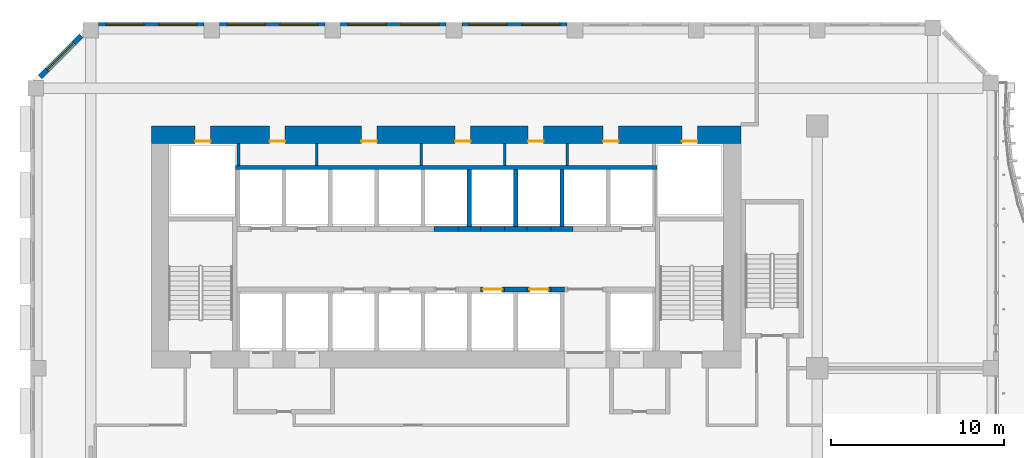
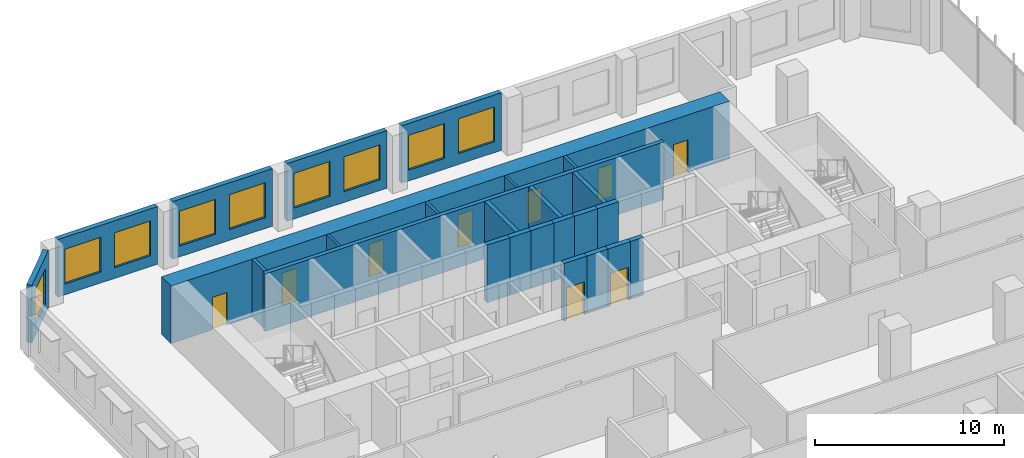
# One storey, part 14 of 27: 25 walls, 9 doors, 9 windows, 18 openings.
"""IFC4 building model written with IfcOpenShell, lengths in metres."""

from ifc_helpers import new_model, si_unit, direction, frame, frame_2d, origin, place, context, subcontext, project, spatial, rectangle, extrude, source, transform, mapped, material, layer, layer_set, type_object, element, fill, save


model = new_model("IFC4")

# Units and contexts
model_context = context("Model", 3, precision=1e-05, world=origin(), true_north=direction((0.0, 1.0)))
body_context = subcontext(model_context, "Body", "Model", "MODEL_VIEW")
ifc_project = project(units=[si_unit("LENGTHUNIT", "METRE"), si_unit("AREAUNIT", "SQUARE_METRE"), si_unit("VOLUMEUNIT", "CUBIC_METRE"), si_unit("PLANEANGLEUNIT", "RADIAN"), si_unit("MASSUNIT", "GRAM", prefix="KILO")], contexts=[model_context])

# Site, building, storey
site_placement = place(None, origin())
site = spatial("IfcSite", under=ifc_project, at=site_placement, CompositionType="ELEMENT")
building_placement = place(site_placement, origin())
building = spatial("IfcBuilding", under=site, at=building_placement, Name="Kilnfold Tower and Market Hall", CompositionType="ELEMENT")
storey_placement = place(building_placement, frame((0.0, 0.0, 71.199951171875)))
storey = spatial("IfcBuildingStorey", under=building, at=storey_placement, Name="L16", CompositionType="ELEMENT", Elevation=71.199951171875)

# Wall, openings, doors
ifc_material_1 = material(Name="Concrete C80", Category="concrete")
ifc_layer_1 = layer(ifc_material_1, 1.0)
ifc_layer_set_1 = layer_set([ifc_layer_1], Name="Concrete C80")
wall_type_1 = type_object("IfcWallType", Name="CORE WALL 1000 C80", PredefinedType="SHEAR", material=ifc_layer_set_1)
shared_shape_1 = source(origin(), body_context, "Body", "SweptSolid", [
    extrude(rectangle(XDim=34.10009765625, YDim=1.0, at=frame_2d((17.050048828125, 0.0))), origin(), (0.0, 0.0, 1.0), 3.719970703125),
])
wall_1_placement = place(storey_placement, frame((-16.0, 21.5, 0.0), z_axis=(0.0, 0.0, 1.0), x_axis=(1.0, 0.0, 0.0)))
wall_1 = element("IfcWall", 1, at=wall_1_placement, inside=storey, type_object=wall_type_1, Name="Core outer wall north", PredefinedType="SHEAR", context=body_context, shape_type="MappedRepresentation", body=[
    mapped(shared_shape_1, transform((0.0, 0.0, 0.0))),
])
opening_1_placement = place(wall_1_placement, frame((6.831298828125, 0.0, 0.0)))
opening_1 = element("IfcOpeningElement", 2, at=opening_1_placement, cuts=wall_1, Name="Opening KD1", PredefinedType="OPENING", context=body_context, shape_type="SweptSolid", body=[
    extrude(rectangle(XDim=0.89990234375, YDim=2.10009765625, at=frame_2d((0.449951171875, 1.050048828125))), frame((0.0, 0.510009765625, 0.0), z_axis=(0.0, -1.0, 0.0), x_axis=(1.0, 0.0, 0.0)), (0.0, 0.0, 1.0), 1.02001953125),
])
opening_2_placement = place(wall_1_placement, frame((12.1376953125, 0.0, 0.0)))
opening_2 = element("IfcOpeningElement", 3, at=opening_2_placement, cuts=wall_1, Name="Opening KD1", PredefinedType="OPENING", context=body_context, shape_type="SweptSolid", body=[
    extrude(rectangle(XDim=0.89990234375, YDim=2.10009765625, at=frame_2d((0.449951171875, 1.050048828125))), frame((0.0, 0.510009765625, 0.0), z_axis=(0.0, -1.0, 0.0), x_axis=(1.0, 0.0, 0.0)), (0.0, 0.0, 1.0), 1.02001953125),
])
opening_3_placement = place(wall_1_placement, frame((17.564697265625, 0.0, 0.0)))
opening_3 = element("IfcOpeningElement", 4, at=opening_3_placement, cuts=wall_1, Name="Opening KD1", PredefinedType="OPENING", context=body_context, shape_type="SweptSolid", body=[
    extrude(rectangle(XDim=0.89990234375, YDim=2.10009765625, at=frame_2d((0.449951171875, 1.050048828125))), frame((0.0, 0.510009765625, 0.0), z_axis=(0.0, -1.0, 0.0), x_axis=(1.0, 0.0, 0.0)), (0.0, 0.0, 1.0), 1.02001953125),
])
opening_4_placement = place(wall_1_placement, frame((21.785888671875, 0.0, 0.0)))
opening_4 = element("IfcOpeningElement", 5, at=opening_4_placement, cuts=wall_1, Name="Opening KD1", PredefinedType="OPENING", context=body_context, shape_type="SweptSolid", body=[
    extrude(rectangle(XDim=0.89990234375, YDim=2.10009765625, at=frame_2d((0.449951171875, 1.050048828125))), frame((0.0, 0.510009765625, 0.0), z_axis=(0.0, -1.0, 0.0), x_axis=(1.0, 0.0, 0.0)), (0.0, 0.0, 1.0), 1.02001953125),
])
opening_5_placement = place(wall_1_placement, frame((26.12744140625, 0.0, 0.0)))
opening_5 = element("IfcOpeningElement", 6, at=opening_5_placement, cuts=wall_1, Name="Opening KD1", PredefinedType="OPENING", context=body_context, shape_type="SweptSolid", body=[
    extrude(rectangle(XDim=0.89990234375, YDim=2.10009765625, at=frame_2d((0.449951171875, 1.050048828125))), frame((0.0, 0.510009765625, 0.0), z_axis=(0.0, -1.0, 0.0), x_axis=(1.0, 0.0, 0.0)), (0.0, 0.0, 1.0), 1.02001953125),
])
opening_6_placement = place(wall_1_placement, frame((2.52490234375, 0.0, 0.0)))
opening_6 = element("IfcOpeningElement", 7, at=opening_6_placement, cuts=wall_1, Name="Opening KD1", PredefinedType="OPENING", context=body_context, shape_type="SweptSolid", body=[
    extrude(rectangle(XDim=0.89990234375, YDim=2.10009765625, at=frame_2d((0.449951171875, 1.050048828125))), frame((0.0, 0.510009765625, 0.0), z_axis=(0.0, -1.0, 0.0), x_axis=(1.0, 0.0, 0.0)), (0.0, 0.0, 1.0), 1.02001953125),
])
opening_7_placement = place(wall_1_placement, frame((30.675048828125, 0.0, 0.0)))
opening_7 = element("IfcOpeningElement", 8, at=opening_7_placement, cuts=wall_1, Name="Opening KD1", PredefinedType="OPENING", context=body_context, shape_type="SweptSolid", body=[
    extrude(rectangle(XDim=0.89990234375, YDim=2.10009765625, at=frame_2d((0.449951171875, 1.050048828125))), frame((0.0, 0.510009765625, 0.0), z_axis=(0.0, -1.0, 0.0), x_axis=(1.0, 0.0, 0.0)), (0.0, 0.0, 1.0), 1.02001953125),
])
ifc_material_2 = material(Name="Steel door set with fire-resisting leaf", Category="steel")
door_type_1 = type_object("IfcDoorType", Name="SERVICE DOOR 900X2100", OperationType="NOTDEFINED", PredefinedType="DOOR", material=ifc_material_2)
door_1_placement = place(opening_1_placement, origin())
door_1 = element("IfcDoor", 9, at=door_1_placement, inside=storey, type_object=door_type_1, Name="Core service door", OperationType="SINGLE_SWING_RIGHT", OverallHeight=2.10009765625, OverallWidth=0.89990234375, PredefinedType="DOOR", context=body_context, shape_type="SweptSolid", body=[
    extrude(rectangle(XDim=0.89990234375, YDim=2.10009765625, at=frame_2d((0.449951171875, 1.050048828125))), frame((0.0, -0.35498046875, 0.0), z_axis=(0.0, -1.0, 0.0), x_axis=(1.0, 0.0, 0.0)), (0.0, 0.0, 1.0), 0.050048828125),
])
fill(opening_1, door_1)
door_2_placement = place(opening_2_placement, origin())
door_2 = element("IfcDoor", 10, at=door_2_placement, inside=storey, type_object=door_type_1, Name="Core service door", OperationType="SINGLE_SWING_LEFT", OverallHeight=2.10009765625, OverallWidth=0.89990234375, PredefinedType="DOOR", context=body_context, shape_type="SweptSolid", body=[
    extrude(rectangle(XDim=0.89990234375, YDim=2.10009765625, at=frame_2d((0.449951171875, 1.050048828125))), frame((0.0, -0.35498046875, 0.0), z_axis=(0.0, -1.0, 0.0), x_axis=(1.0, 0.0, 0.0)), (0.0, 0.0, 1.0), 0.050048828125),
])
fill(opening_2, door_2)
door_3_placement = place(opening_3_placement, origin())
door_3 = element("IfcDoor", 11, at=door_3_placement, inside=storey, type_object=door_type_1, Name="Core service door", OperationType="SINGLE_SWING_RIGHT", OverallHeight=2.10009765625, OverallWidth=0.89990234375, PredefinedType="DOOR", context=body_context, shape_type="SweptSolid", body=[
    extrude(rectangle(XDim=0.89990234375, YDim=2.10009765625, at=frame_2d((0.449951171875, 1.050048828125))), frame((0.0, -0.35498046875, 0.0), z_axis=(0.0, -1.0, 0.0), x_axis=(1.0, 0.0, 0.0)), (0.0, 0.0, 1.0), 0.050048828125),
])
fill(opening_3, door_3)
door_4_placement = place(opening_4_placement, origin())
door_4 = element("IfcDoor", 12, at=door_4_placement, inside=storey, type_object=door_type_1, Name="Core service door", OperationType="SINGLE_SWING_LEFT", OverallHeight=2.10009765625, OverallWidth=0.89990234375, PredefinedType="DOOR", context=body_context, shape_type="SweptSolid", body=[
    extrude(rectangle(XDim=0.89990234375, YDim=2.10009765625, at=frame_2d((0.449951171875, 1.050048828125))), frame((0.0, -0.35498046875, 0.0), z_axis=(0.0, -1.0, 0.0), x_axis=(1.0, 0.0, 0.0)), (0.0, 0.0, 1.0), 0.050048828125),
])
fill(opening_4, door_4)
door_5_placement = place(opening_5_placement, origin())
door_5 = element("IfcDoor", 13, at=door_5_placement, inside=storey, type_object=door_type_1, Name="Core service door", OperationType="SINGLE_SWING_RIGHT", OverallHeight=2.10009765625, OverallWidth=0.89990234375, PredefinedType="DOOR", context=body_context, shape_type="SweptSolid", body=[
    extrude(rectangle(XDim=0.89990234375, YDim=2.10009765625, at=frame_2d((0.449951171875, 1.050048828125))), frame((0.0, -0.35498046875, 0.0), z_axis=(0.0, -1.0, 0.0), x_axis=(1.0, 0.0, 0.0)), (0.0, 0.0, 1.0), 0.050048828125),
])
fill(opening_5, door_5)
door_6_placement = place(opening_6_placement, origin())
door_6 = element("IfcDoor", 14, at=door_6_placement, inside=storey, type_object=door_type_1, Name="Electrical riser access door", OperationType="SINGLE_SWING_LEFT", OverallHeight=2.10009765625, OverallWidth=0.89990234375, PredefinedType="DOOR", context=body_context, shape_type="SweptSolid", body=[
    extrude(rectangle(XDim=0.89990234375, YDim=2.10009765625, at=frame_2d((0.449951171875, 1.050048828125))), frame((0.0, -0.35498046875, 0.0), z_axis=(0.0, -1.0, 0.0), x_axis=(1.0, 0.0, 0.0)), (0.0, 0.0, 1.0), 0.050048828125),
])
fill(opening_6, door_6)
door_7_placement = place(opening_7_placement, origin())
door_7 = element("IfcDoor", 15, at=door_7_placement, inside=storey, type_object=door_type_1, Name="Mechanical riser access door", OperationType="SINGLE_SWING_RIGHT", OverallHeight=2.10009765625, OverallWidth=0.89990234375, PredefinedType="DOOR", context=body_context, shape_type="SweptSolid", body=[
    extrude(rectangle(XDim=0.89990234375, YDim=2.10009765625, at=frame_2d((0.449951171875, 1.050048828125))), frame((0.0, -0.35498046875, 0.0), z_axis=(0.0, -1.0, 0.0), x_axis=(1.0, 0.0, 0.0)), (0.0, 0.0, 1.0), 0.050048828125),
])
fill(opening_7, door_7)

# Walls
ifc_material_3 = material(Name="Concrete C80", Category="concrete")
ifc_layer_2 = layer(ifc_material_3, 0.300048828125)
ifc_layer_set_2 = layer_set([ifc_layer_2], Name="Concrete C80")
wall_type_2 = type_object("IfcWallType", Name="CORE WALL 300 C80", PredefinedType="SHEAR", material=ifc_layer_set_2)
shared_shape_2 = source(origin(), body_context, "Body", "SweptSolid", [
    extrude(rectangle(XDim=1.280029296875, YDim=0.300048828125, at=frame_2d((0.64013671875, 0.0))), origin(), (0.0, 0.0, 1.0), 3.719970703125),
])
for number, where, z_axis, x_axis, name in (
    (16, (4.429931640625, 12.550048828125, 0.0), (0.0, 0.0, 1.0), (1.0, 0.0, 0.0), "Core spine wall"),
    (17, (1.75, 16.050048828125, 0.0), (0.0, 0.0, 1.0), (1.0, 0.0, 0.0), "Core spine wall"),
    (18, (4.429931640625, 16.050048828125, 0.0), (0.0, 0.0, 1.0), (1.0, 0.0, 0.0), "Core spine wall"),
):
    element("IfcWall", number, at=place(storey_placement, frame(where, z_axis=z_axis, x_axis=x_axis)), inside=storey, type_object=wall_type_2, Name=name, PredefinedType="SHEAR", context=body_context, shape_type="MappedRepresentation", body=[
        mapped(shared_shape_2, transform((0.0, 0.0, 0.0))),
    ])
shared_shape_3 = source(origin(), body_context, "Body", "SweptSolid", [
    extrude(rectangle(XDim=0.77978515625, YDim=0.300048828125, at=frame_2d((0.389892578125, 0.0))), origin(), (0.0, 0.0, 1.0), 3.719970703125),
])
wall_2_placement = place(storey_placement, frame((7.110107421875, 12.550048828125, 0.0), z_axis=(0.0, 0.0, 1.0), x_axis=(1.0, 0.0, 0.0)))
element("IfcWall", 19, at=wall_2_placement, inside=storey, type_object=wall_type_2, Name="Core spine wall", PredefinedType="SHEAR", context=body_context, shape_type="MappedRepresentation", body=[
    mapped(shared_shape_3, transform((0.0, 0.0, 0.0))),
])
shared_shape_4 = source(origin(), body_context, "Body", "SweptSolid", [
    extrude(rectangle(XDim=1.27978515625, YDim=0.300048828125, at=frame_2d((0.639892578125, 0.0))), origin(), (0.0, 0.0, 1.0), 3.719970703125),
])
wall_3_placement = place(storey_placement, frame((7.110107421875, 16.050048828125, 0.0), z_axis=(0.0, 0.0, 1.0), x_axis=(1.0, 0.0, 0.0)))
element("IfcWall", 20, at=wall_3_placement, inside=storey, type_object=wall_type_2, Name="Core spine wall", PredefinedType="SHEAR", context=body_context, shape_type="MappedRepresentation", body=[
    mapped(shared_shape_4, transform((0.0, 0.0, 0.0))),
])

# Wall, opening, window
ifc_material_4 = material(Name="Precast concrete C50/60", Category="concrete")
ifc_layer_3 = layer(ifc_material_4, 0.300048828125)
ifc_layer_set_3 = layer_set([ifc_layer_3], Name="Precast concrete C50/60")
wall_type_3 = type_object("IfcWallType", Name="PRECAST WALL 300", PredefinedType="SOLIDWALL", material=ifc_layer_set_3)
shared_shape_5 = source(origin(), body_context, "Body", "SweptSolid", [
    extrude(rectangle(XDim=3.35888671875, YDim=0.300048828125, at=frame_2d((1.679443359375, 0.0))), origin(), (0.0, 0.0, 1.0), 3.719970703125),
])
wall_4_placement = place(storey_placement, frame((-20.06884765625, 27.218994140625, 0.0), z_axis=(0.0, 0.0, 1.0), x_axis=(-0.707143122278, -0.707070438228, 0.0)))
wall_4 = element("IfcWall", 21, at=wall_4_placement, inside=storey, type_object=wall_type_3, Name="External wall L16 NW", PredefinedType="SOLIDWALL", context=body_context, shape_type="MappedRepresentation", body=[
    mapped(shared_shape_5, transform((0.0, 0.0, 0.0))),
])
opening_8_placement = place(wall_4_placement, frame((0.579345703125, 0.0, 0.699951171875)))
opening_8 = element("IfcOpeningElement", 22, at=opening_8_placement, cuts=wall_4, Name="Opening W1", PredefinedType="OPENING", context=body_context, shape_type="SweptSolid", body=[
    extrude(rectangle(XDim=2.199951171875, YDim=2.25, at=frame_2d((1.10009765625, 1.125))), frame((0.0, 0.16015625, 0.0), z_axis=(0.0, -1.0, 0.0), x_axis=(1.0, 0.0, 0.0)), (0.0, 0.0, 1.0), 0.320068359375),
])
ifc_material_5 = material(Name="Aluminium frame and double glazing", Category="aluminium")
window_type = type_object("IfcWindowType", Name="WINDOW W1 2200X2250", PartitioningType="SINGLE_PANEL", PredefinedType="WINDOW", material=ifc_material_5)
window_1_placement = place(opening_8_placement, origin())
window_1 = element("IfcWindow", 23, at=window_1_placement, inside=storey, type_object=window_type, Name="Window W1 L16 NW-1", OverallHeight=2.25, OverallWidth=2.199951171875, PartitioningType="SINGLE_PANEL", PredefinedType="WINDOW", context=body_context, shape_type="SweptSolid", body=[
    extrude(rectangle(XDim=2.199951171875, YDim=2.25, at=frame_2d((1.10009765625, 1.125))), frame((0.0, 0.030029296875, 0.0), z_axis=(0.0, -1.0, 0.0), x_axis=(1.0, 0.0, 0.0)), (0.0, 0.0, 1.0), 0.06005859375),
])
fill(opening_8, window_1)

# Wall, openings, windows
shared_shape_6 = source(origin(), body_context, "Body", "SweptSolid", [
    extrude(rectangle(XDim=6.10009765625, YDim=0.300048828125, at=frame_2d((3.050048828125, 0.0))), origin(), (0.0, 0.0, 1.0), 3.719970703125),
])
wall_5_placement = place(storey_placement, frame((8.050048828125, 27.85009765625, 0.0), z_axis=(0.0, 0.0, 1.0), x_axis=(-1.0, 0.0, 0.0)))
wall_5 = element("IfcWall", 24, at=wall_5_placement, inside=storey, type_object=wall_type_3, Name="External wall L16 N", PredefinedType="SOLIDWALL", context=body_context, shape_type="MappedRepresentation", body=[
    mapped(shared_shape_6, transform((0.0, 0.0, 0.0))),
])
opening_9_placement = place(wall_5_placement, frame((0.425048828125, 0.0, 0.699951171875)))
opening_9 = element("IfcOpeningElement", 25, at=opening_9_placement, cuts=wall_5, Name="Opening W1", PredefinedType="OPENING", context=body_context, shape_type="SweptSolid", body=[
    extrude(rectangle(XDim=2.199951171875, YDim=2.25, at=frame_2d((1.10009765625, 1.125))), frame((0.0, 0.16015625, 0.0), z_axis=(0.0, -1.0, 0.0), x_axis=(1.0, 0.0, 0.0)), (0.0, 0.0, 1.0), 0.320068359375),
])
opening_10_placement = place(wall_5_placement, frame((3.47509765625, 0.0, 0.699951171875)))
opening_10 = element("IfcOpeningElement", 26, at=opening_10_placement, cuts=wall_5, Name="Opening W1", PredefinedType="OPENING", context=body_context, shape_type="SweptSolid", body=[
    extrude(rectangle(XDim=2.199951171875, YDim=2.25, at=frame_2d((1.10009765625, 1.125))), frame((0.0, 0.16015625, 0.0), z_axis=(0.0, -1.0, 0.0), x_axis=(1.0, 0.0, 0.0)), (0.0, 0.0, 1.0), 0.320068359375),
])
window_2_placement = place(opening_9_placement, origin())
window_2 = element("IfcWindow", 27, at=window_2_placement, inside=storey, type_object=window_type, Name="Window W1 L16 N-1", OverallHeight=2.25, OverallWidth=2.199951171875, PartitioningType="SINGLE_PANEL", PredefinedType="WINDOW", context=body_context, shape_type="SweptSolid", body=[
    extrude(rectangle(XDim=2.199951171875, YDim=2.25, at=frame_2d((1.10009765625, 1.125))), frame((0.0, 0.030029296875, 0.0), z_axis=(0.0, -1.0, 0.0), x_axis=(1.0, 0.0, 0.0)), (0.0, 0.0, 1.0), 0.06005859375),
])
fill(opening_9, window_2)
window_3_placement = place(opening_10_placement, origin())
window_3 = element("IfcWindow", 28, at=window_3_placement, inside=storey, type_object=window_type, Name="Window W1 L16 N-2", OverallHeight=2.25, OverallWidth=2.199951171875, PartitioningType="SINGLE_PANEL", PredefinedType="WINDOW", context=body_context, shape_type="SweptSolid", body=[
    extrude(rectangle(XDim=2.199951171875, YDim=2.25, at=frame_2d((1.10009765625, 1.125))), frame((0.0, 0.030029296875, 0.0), z_axis=(0.0, -1.0, 0.0), x_axis=(1.0, 0.0, 0.0)), (0.0, 0.0, 1.0), 0.06005859375),
])
fill(opening_10, window_3)

wall_6_placement = place(storey_placement, frame((1.050048828125, 27.85009765625, 0.0), z_axis=(0.0, 0.0, 1.0), x_axis=(-1.0, 0.0, 0.0)))
wall_6 = element("IfcWall", 29, at=wall_6_placement, inside=storey, type_object=wall_type_3, Name="External wall L16 N", PredefinedType="SOLIDWALL", context=body_context, shape_type="MappedRepresentation", body=[
    mapped(shared_shape_6, transform((0.0, 0.0, 0.0))),
])
opening_11_placement = place(wall_6_placement, frame((0.425048828125, 0.0, 0.699951171875)))
opening_11 = element("IfcOpeningElement", 30, at=opening_11_placement, cuts=wall_6, Name="Opening W1", PredefinedType="OPENING", context=body_context, shape_type="SweptSolid", body=[
    extrude(rectangle(XDim=2.199951171875, YDim=2.25, at=frame_2d((1.10009765625, 1.125))), frame((0.0, 0.16015625, 0.0), z_axis=(0.0, -1.0, 0.0), x_axis=(1.0, 0.0, 0.0)), (0.0, 0.0, 1.0), 0.320068359375),
])
opening_12_placement = place(wall_6_placement, frame((3.47509765625, 0.0, 0.699951171875)))
opening_12 = element("IfcOpeningElement", 31, at=opening_12_placement, cuts=wall_6, Name="Opening W1", PredefinedType="OPENING", context=body_context, shape_type="SweptSolid", body=[
    extrude(rectangle(XDim=2.199951171875, YDim=2.25, at=frame_2d((1.10009765625, 1.125))), frame((0.0, 0.16015625, 0.0), z_axis=(0.0, -1.0, 0.0), x_axis=(1.0, 0.0, 0.0)), (0.0, 0.0, 1.0), 0.320068359375),
])
window_4_placement = place(opening_11_placement, origin())
window_4 = element("IfcWindow", 32, at=window_4_placement, inside=storey, type_object=window_type, Name="Window W1 L16 N-1", OverallHeight=2.25, OverallWidth=2.199951171875, PartitioningType="SINGLE_PANEL", PredefinedType="WINDOW", context=body_context, shape_type="SweptSolid", body=[
    extrude(rectangle(XDim=2.199951171875, YDim=2.25, at=frame_2d((1.10009765625, 1.125))), frame((0.0, 0.030029296875, 0.0), z_axis=(0.0, -1.0, 0.0), x_axis=(1.0, 0.0, 0.0)), (0.0, 0.0, 1.0), 0.06005859375),
])
fill(opening_11, window_4)
window_5_placement = place(opening_12_placement, origin())
window_5 = element("IfcWindow", 33, at=window_5_placement, inside=storey, type_object=window_type, Name="Window W1 L16 N-2", OverallHeight=2.25, OverallWidth=2.199951171875, PartitioningType="SINGLE_PANEL", PredefinedType="WINDOW", context=body_context, shape_type="SweptSolid", body=[
    extrude(rectangle(XDim=2.199951171875, YDim=2.25, at=frame_2d((1.10009765625, 1.125))), frame((0.0, 0.030029296875, 0.0), z_axis=(0.0, -1.0, 0.0), x_axis=(1.0, 0.0, 0.0)), (0.0, 0.0, 1.0), 0.06005859375),
])
fill(opening_12, window_5)

wall_7_placement = place(storey_placement, frame((-5.949951171875, 27.85009765625, 0.0), z_axis=(0.0, 0.0, 1.0), x_axis=(-1.0, 0.0, 0.0)))
wall_7 = element("IfcWall", 34, at=wall_7_placement, inside=storey, type_object=wall_type_3, Name="External wall L16 N", PredefinedType="SOLIDWALL", context=body_context, shape_type="MappedRepresentation", body=[
    mapped(shared_shape_6, transform((0.0, 0.0, 0.0))),
])
opening_13_placement = place(wall_7_placement, frame((0.425048828125, 0.0, 0.699951171875)))
opening_13 = element("IfcOpeningElement", 35, at=opening_13_placement, cuts=wall_7, Name="Opening W1", PredefinedType="OPENING", context=body_context, shape_type="SweptSolid", body=[
    extrude(rectangle(XDim=2.199951171875, YDim=2.25, at=frame_2d((1.10009765625, 1.125))), frame((0.0, 0.16015625, 0.0), z_axis=(0.0, -1.0, 0.0), x_axis=(1.0, 0.0, 0.0)), (0.0, 0.0, 1.0), 0.320068359375),
])
opening_14_placement = place(wall_7_placement, frame((3.47509765625, 0.0, 0.699951171875)))
opening_14 = element("IfcOpeningElement", 36, at=opening_14_placement, cuts=wall_7, Name="Opening W1", PredefinedType="OPENING", context=body_context, shape_type="SweptSolid", body=[
    extrude(rectangle(XDim=2.199951171875, YDim=2.25, at=frame_2d((1.10009765625, 1.125))), frame((0.0, 0.16015625, 0.0), z_axis=(0.0, -1.0, 0.0), x_axis=(1.0, 0.0, 0.0)), (0.0, 0.0, 1.0), 0.320068359375),
])
window_6_placement = place(opening_13_placement, origin())
window_6 = element("IfcWindow", 37, at=window_6_placement, inside=storey, type_object=window_type, Name="Window W1 L16 N-1", OverallHeight=2.25, OverallWidth=2.199951171875, PartitioningType="SINGLE_PANEL", PredefinedType="WINDOW", context=body_context, shape_type="SweptSolid", body=[
    extrude(rectangle(XDim=2.199951171875, YDim=2.25, at=frame_2d((1.10009765625, 1.125))), frame((0.0, 0.030029296875, 0.0), z_axis=(0.0, -1.0, 0.0), x_axis=(1.0, 0.0, 0.0)), (0.0, 0.0, 1.0), 0.06005859375),
])
fill(opening_13, window_6)
window_7_placement = place(opening_14_placement, origin())
window_7 = element("IfcWindow", 38, at=window_7_placement, inside=storey, type_object=window_type, Name="Window W1 L16 N-2", OverallHeight=2.25, OverallWidth=2.199951171875, PartitioningType="SINGLE_PANEL", PredefinedType="WINDOW", context=body_context, shape_type="SweptSolid", body=[
    extrude(rectangle(XDim=2.199951171875, YDim=2.25, at=frame_2d((1.10009765625, 1.125))), frame((0.0, 0.030029296875, 0.0), z_axis=(0.0, -1.0, 0.0), x_axis=(1.0, 0.0, 0.0)), (0.0, 0.0, 1.0), 0.06005859375),
])
fill(opening_14, window_7)

wall_8_placement = place(storey_placement, frame((-12.949951171875, 27.85009765625, 0.0), z_axis=(0.0, 0.0, 1.0), x_axis=(-1.0, 0.0, 0.0)))
wall_8 = element("IfcWall", 39, at=wall_8_placement, inside=storey, type_object=wall_type_3, Name="External wall L16 N", PredefinedType="SOLIDWALL", context=body_context, shape_type="MappedRepresentation", body=[
    mapped(shared_shape_6, transform((0.0, 0.0, 0.0))),
])
opening_15_placement = place(wall_8_placement, frame((0.425048828125, 0.0, 0.699951171875)))
opening_15 = element("IfcOpeningElement", 40, at=opening_15_placement, cuts=wall_8, Name="Opening W1", PredefinedType="OPENING", context=body_context, shape_type="SweptSolid", body=[
    extrude(rectangle(XDim=2.199951171875, YDim=2.25, at=frame_2d((1.10009765625, 1.125))), frame((0.0, 0.16015625, 0.0), z_axis=(0.0, -1.0, 0.0), x_axis=(1.0, 0.0, 0.0)), (0.0, 0.0, 1.0), 0.320068359375),
])
opening_16_placement = place(wall_8_placement, frame((3.47509765625, 0.0, 0.699951171875)))
opening_16 = element("IfcOpeningElement", 41, at=opening_16_placement, cuts=wall_8, Name="Opening W1", PredefinedType="OPENING", context=body_context, shape_type="SweptSolid", body=[
    extrude(rectangle(XDim=2.199951171875, YDim=2.25, at=frame_2d((1.10009765625, 1.125))), frame((0.0, 0.16015625, 0.0), z_axis=(0.0, -1.0, 0.0), x_axis=(1.0, 0.0, 0.0)), (0.0, 0.0, 1.0), 0.320068359375),
])
window_8_placement = place(opening_15_placement, origin())
window_8 = element("IfcWindow", 42, at=window_8_placement, inside=storey, type_object=window_type, Name="Window W1 L16 N-1", OverallHeight=2.25, OverallWidth=2.199951171875, PartitioningType="SINGLE_PANEL", PredefinedType="WINDOW", context=body_context, shape_type="SweptSolid", body=[
    extrude(rectangle(XDim=2.199951171875, YDim=2.25, at=frame_2d((1.10009765625, 1.125))), frame((0.0, 0.030029296875, 0.0), z_axis=(0.0, -1.0, 0.0), x_axis=(1.0, 0.0, 0.0)), (0.0, 0.0, 1.0), 0.06005859375),
])
fill(opening_15, window_8)
window_9_placement = place(opening_16_placement, origin())
window_9 = element("IfcWindow", 43, at=window_9_placement, inside=storey, type_object=window_type, Name="Window W1 L16 N-2", OverallHeight=2.25, OverallWidth=2.199951171875, PartitioningType="SINGLE_PANEL", PredefinedType="WINDOW", context=body_context, shape_type="SweptSolid", body=[
    extrude(rectangle(XDim=2.199951171875, YDim=2.25, at=frame_2d((1.10009765625, 1.125))), frame((0.0, 0.030029296875, 0.0), z_axis=(0.0, -1.0, 0.0), x_axis=(1.0, 0.0, 0.0)), (0.0, 0.0, 1.0), 0.06005859375),
])
fill(opening_16, window_9)

# Wall, opening, door
ifc_material_6 = material(Name="Gypsum shaft wall system")
ifc_layer_4 = layer(ifc_material_6, 0.300048828125)
ifc_layer_set_4 = layer_set([ifc_layer_4], Name="Gypsum shaft wall system")
wall_type_4 = type_object("IfcWallType", Name="SHAFT WALL 300", PredefinedType="PARTITIONING", material=ifc_layer_set_4)
shared_shape_7 = source(origin(), body_context, "Body", "SweptSolid", [
    extrude(rectangle(XDim=1.39990234375, YDim=0.300048828125, at=frame_2d((0.699951171875, 0.0))), origin(), (0.0, 0.0, 1.0), 3.719970703125),
])
wall_9_placement = place(storey_placement, frame((3.030029296875, 12.550048828125, 0.0), z_axis=(0.0, 0.0, 1.0), x_axis=(1.0, 0.0, 0.0)))
wall_9 = element("IfcWall", 44, at=wall_9_placement, inside=storey, type_object=wall_type_4, Name="Lift shaft front wall", PredefinedType="PARTITIONING", context=body_context, shape_type="MappedRepresentation", body=[
    mapped(shared_shape_7, transform((0.0, 0.0, 0.0))),
])
opening_17_placement = place(wall_9_placement, frame((0.14990234375, 0.0, 0.0)))
opening_17 = element("IfcOpeningElement", 45, at=opening_17_placement, cuts=wall_9, Name="Opening LD2", PredefinedType="OPENING", context=body_context, shape_type="SweptSolid", body=[
    extrude(rectangle(XDim=1.10009765625, YDim=2.10009765625, at=frame_2d((0.550048828125, 1.050048828125))), frame((0.0, 0.16015625, 0.0), z_axis=(0.0, -1.0, 0.0), x_axis=(1.0, 0.0, 0.0)), (0.0, 0.0, 1.0), 0.320068359375),
])
ifc_material_7 = material(Name="Steel door set with fire-resisting leaf", Category="steel")
door_type_2 = type_object("IfcDoorType", Name="LANDING DOOR 1100X2100", OperationType="NOTDEFINED", PredefinedType="DOOR", material=ifc_material_7)
door_8_placement = place(opening_17_placement, origin())
door_8 = element("IfcDoor", 46, at=door_8_placement, inside=storey, type_object=door_type_2, Name="Landing door LR4", OperationType="DOUBLE_DOOR_SLIDING", OverallHeight=2.10009765625, OverallWidth=1.10009765625, PredefinedType="DOOR", context=body_context, shape_type="SweptSolid", body=[
    extrude(rectangle(XDim=1.10009765625, YDim=2.10009765625, at=frame_2d((0.550048828125, 1.050048828125))), frame((0.0, 0.02490234375, 0.0), z_axis=(0.0, -1.0, 0.0), x_axis=(1.0, 0.0, 0.0)), (0.0, 0.0, 1.0), 0.050048828125),
])
fill(opening_17, door_8)

# Walls
for number, where, z_axis, x_axis, name in (
    (47, (0.35009765625, 16.050048828125, 0.0), (0.0, 0.0, 1.0), (1.0, 0.0, 0.0), "Lift shaft front wall"),
    (48, (3.030029296875, 16.050048828125, 0.0), (0.0, 0.0, 1.0), (1.0, 0.0, 0.0), "Lift shaft front wall"),
):
    element("IfcWall", number, at=place(storey_placement, frame(where, z_axis=z_axis, x_axis=x_axis)), inside=storey, type_object=wall_type_4, Name=name, PredefinedType="PARTITIONING", context=body_context, shape_type="MappedRepresentation", body=[
        mapped(shared_shape_7, transform((0.0, 0.0, 0.0))),
    ])

# Wall, opening, door
shared_shape_8 = source(origin(), body_context, "Body", "SweptSolid", [
    extrude(rectangle(XDim=1.400146484375, YDim=0.300048828125, at=frame_2d((0.7001953125, 0.0))), origin(), (0.0, 0.0, 1.0), 3.719970703125),
])
wall_10_placement = place(storey_placement, frame((5.7099609375, 12.550048828125, 0.0), z_axis=(0.0, 0.0, 1.0), x_axis=(1.0, 0.0, 0.0)))
wall_10 = element("IfcWall", 49, at=wall_10_placement, inside=storey, type_object=wall_type_4, Name="Lift shaft front wall", PredefinedType="PARTITIONING", context=body_context, shape_type="MappedRepresentation", body=[
    mapped(shared_shape_8, transform((0.0, 0.0, 0.0))),
])
opening_18_placement = place(wall_10_placement, frame((0.14990234375, 0.0, 0.0)))
opening_18 = element("IfcOpeningElement", 50, at=opening_18_placement, cuts=wall_10, Name="Opening LD2", PredefinedType="OPENING", context=body_context, shape_type="SweptSolid", body=[
    extrude(rectangle(XDim=1.10009765625, YDim=2.10009765625, at=frame_2d((0.550048828125, 1.050048828125))), frame((0.0, 0.16015625, 0.0), z_axis=(0.0, -1.0, 0.0), x_axis=(1.0, 0.0, 0.0)), (0.0, 0.0, 1.0), 0.320068359375),
])
door_9_placement = place(opening_18_placement, origin())
door_9 = element("IfcDoor", 51, at=door_9_placement, inside=storey, type_object=door_type_2, Name="Landing door LR5", OperationType="DOUBLE_DOOR_SLIDING", OverallHeight=2.10009765625, OverallWidth=1.10009765625, PredefinedType="DOOR", context=body_context, shape_type="SweptSolid", body=[
    extrude(rectangle(XDim=1.10009765625, YDim=2.10009765625, at=frame_2d((0.550048828125, 1.050048828125))), frame((0.0, 0.02490234375, 0.0), z_axis=(0.0, -1.0, 0.0), x_axis=(1.0, 0.0, 0.0)), (0.0, 0.0, 1.0), 0.050048828125),
])
fill(opening_18, door_9)

# Walls
wall_11_placement = place(storey_placement, frame((5.7099609375, 16.050048828125, 0.0), z_axis=(0.0, 0.0, 1.0), x_axis=(1.0, 0.0, 0.0)))
element("IfcWall", 52, at=wall_11_placement, inside=storey, type_object=wall_type_4, Name="Lift shaft front wall", PredefinedType="PARTITIONING", context=body_context, shape_type="MappedRepresentation", body=[
    mapped(shared_shape_8, transform((0.0, 0.0, 0.0))),
])
ifc_material_8 = material(Name="Gypsum shaft wall system")
ifc_layer_5 = layer(ifc_material_8, 0.25)
ifc_layer_set_5 = layer_set([ifc_layer_5], Name="Gypsum shaft wall system")
wall_type_5 = type_object("IfcWallType", Name="SHAFT WALL 250", PredefinedType="PARTITIONING", material=ifc_layer_set_5)
shared_shape_9 = source(origin(), body_context, "Body", "SweptSolid", [
    extrude(rectangle(XDim=24.3701171875, YDim=0.25, at=frame_2d((12.18505859375, 0.0))), origin(), (0.0, 0.0, 1.0), 3.719970703125),
])
wall_12_placement = place(storey_placement, frame((-11.135009765625, 19.60009765625, 0.0), z_axis=(0.0, 0.0, 1.0), x_axis=(1.0, 0.0, 0.0)))
element("IfcWall", 53, at=wall_12_placement, inside=storey, type_object=wall_type_5, Name="Lift shaft wall", PredefinedType="PARTITIONING", context=body_context, shape_type="MappedRepresentation", body=[
    mapped(shared_shape_9, transform((0.0, 0.0, 0.0))),
])
ifc_material_9 = material(Name="Gypsum shaft wall system")
ifc_layer_6 = layer(ifc_material_9, 0.1650390625)
ifc_layer_set_6 = layer_set([ifc_layer_6], Name="Gypsum shaft wall system")
wall_type_6 = type_object("IfcWallType", Name="SHAFT WALL 165", PredefinedType="PARTITIONING", material=ifc_layer_set_6)
shared_shape_10 = source(origin(), body_context, "Body", "SweptSolid", [
    extrude(rectangle(XDim=1.27490234375, YDim=0.1650390625, at=frame_2d((0.637451171875, 0.0))), origin(), (0.0, 0.0, 1.0), 3.719970703125),
])
wall_13_placement = place(storey_placement, frame((-10.967529296875, 19.72509765625, 0.0), z_axis=(0.0, 0.0, 1.0), x_axis=(0.0, 1.0, 0.0)))
element("IfcWall", 54, at=wall_13_placement, inside=storey, type_object=wall_type_6, Name="Lift shaft wall", PredefinedType="PARTITIONING", context=body_context, shape_type="MappedRepresentation", body=[
    mapped(shared_shape_10, transform((0.0, 0.0, 0.0))),
])
shared_shape_11 = source(origin(), body_context, "Body", "SweptSolid", [
    extrude(rectangle(XDim=3.275146484375, YDim=0.25, at=frame_2d((1.6376953125, 0.0))), origin(), (0.0, 0.0, 1.0), 3.719970703125),
])
for number, where, z_axis, x_axis, name in (
    (55, (2.389892578125, 16.199951171875, 0.0), (0.0, 0.0, 1.0), (0.0, 1.0, 0.0), "Lift shaft wall"),
    (56, (5.070068359375, 16.199951171875, 0.0), (0.0, 0.0, 1.0), (0.0, 1.0, 0.0), "Lift shaft wall"),
    (57, (7.75, 16.199951171875, 0.0), (0.0, 0.0, 1.0), (0.0, 1.0, 0.0), "Lift shaft wall"),
):
    element("IfcWall", number, at=place(storey_placement, frame(where, z_axis=z_axis, x_axis=x_axis)), inside=storey, type_object=wall_type_5, Name=name, PredefinedType="PARTITIONING", context=body_context, shape_type="MappedRepresentation", body=[
        mapped(shared_shape_11, transform((0.0, 0.0, 0.0))),
    ])
ifc_material_10 = material(Name="Gypsum shaft wall system")
ifc_layer_7 = layer(ifc_material_10, 0.14990234375)
ifc_layer_set_7 = layer_set([ifc_layer_7], Name="Gypsum shaft wall system")
wall_type_7 = type_object("IfcWallType", Name="ROOM WALL 150", PredefinedType="PARTITIONING", material=ifc_layer_set_7)
shared_shape_12 = source(origin(), body_context, "Body", "SweptSolid", [
    extrude(rectangle(XDim=1.27490234375, YDim=0.14990234375, at=frame_2d((0.637451171875, 0.0))), origin(), (0.0, 0.0, 1.0), 3.719970703125),
])
for number, where, z_axis, x_axis, name in (
    (58, (-6.42724609375, 19.72509765625, 0.0), (0.0, 0.0, 1.0), (0.0, 1.0, 0.0), "Core room wall"),
    (59, (-0.397216796875, 19.72509765625, 0.0), (0.0, 0.0, 1.0), (0.0, 1.0, 0.0), "Core room wall"),
    (60, (4.4267578125, 19.72509765625, 0.0), (0.0, 0.0, 1.0), (0.0, 1.0, 0.0), "Core room wall"),
    (61, (8.044921875, 19.72509765625, 0.0), (0.0, 0.0, 1.0), (0.0, 1.0, 0.0), "Core room wall"),
):
    element("IfcWall", number, at=place(storey_placement, frame(where, z_axis=z_axis, x_axis=x_axis)), inside=storey, type_object=wall_type_7, Name=name, PredefinedType="PARTITIONING", context=body_context, shape_type="MappedRepresentation", body=[
        mapped(shared_shape_12, transform((0.0, 0.0, 0.0))),
    ])

save(model, "model.ifc")
